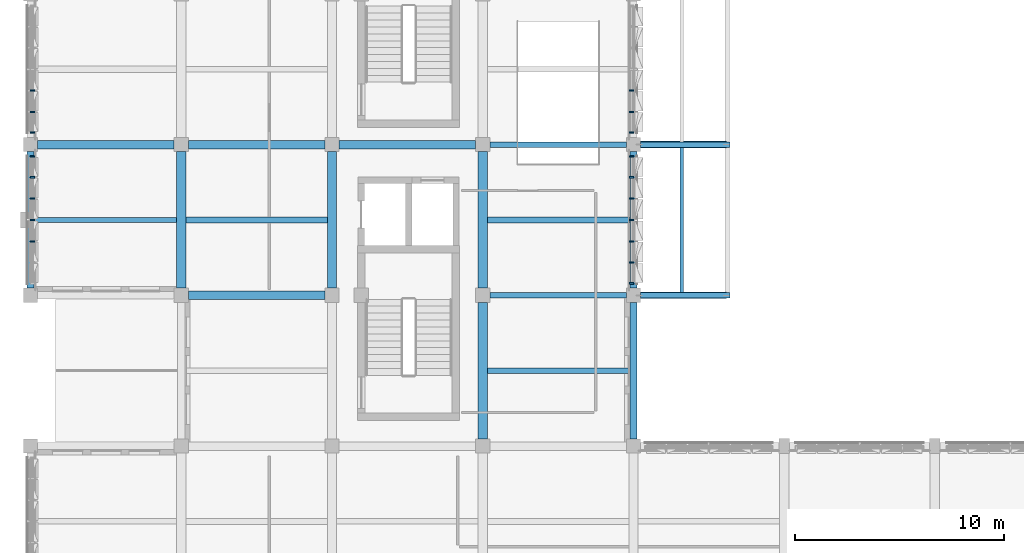
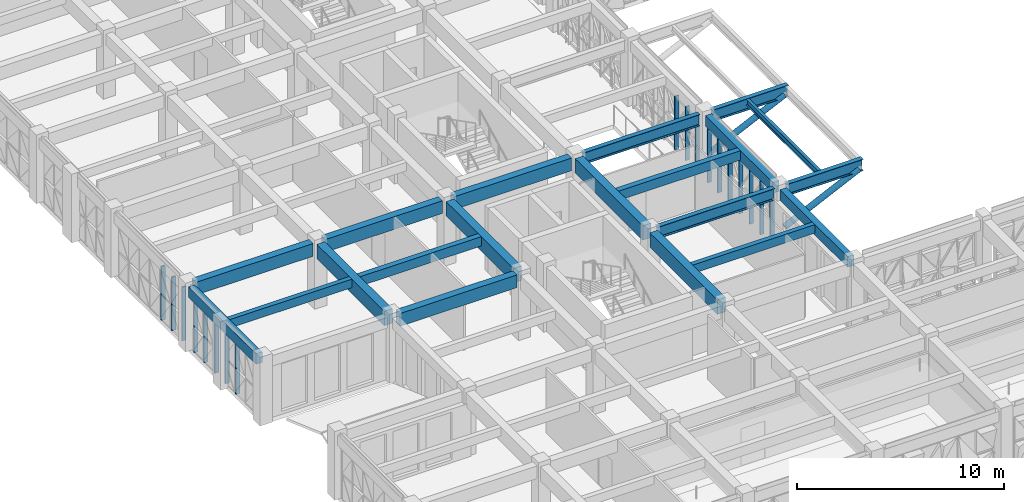
# One storey, part 4 of 88: 20 beams, 20 members, 4 elements without a shape of their own.
"""IFC4 building model written with IfcOpenShell, lengths in metres."""

import ifcopenshell
import ifcopenshell.guid

model = None  # the IFC model being written
_history = None  # IfcOwnerHistory: only IFC2X3 demands one
_inside = {}  # id of a spatial element -> (the spatial element, [elements in it])
_under = {}  # id of a project, library or spatial element -> (it, [spatial elements below it])
_declared = {}  # id of a project -> (the project, [libraries it declares])
_typed = {}  # id of a type object -> (the type object, [elements of that type])
_made_of = {}  # id of a material, layer set ... -> (it, [elements and type objects made of it])


def new_model(schema):
    """Start an empty IFC model of exactly this schema.

    Asked for "IFC4X3", IfcOpenShell would pick the latest addendum, in which some entities
    have other attributes; the version numbers below select the first issue.
    IFC2X3 requires an IfcOwnerHistory on every rooted entity: one is made here for all.
    """
    global model, _history
    if schema == "IFC4X3":
        model = ifcopenshell.file(schema_version=(4, 3, 0, 0))
    else:
        model = ifcopenshell.file(schema=schema)
    _inside.clear()
    _under.clear()
    _declared.clear()
    _typed.clear()
    _made_of.clear()
    _history = None
    if model.schema == "IFC2X3":
        org = make("IfcOrganization", Name="unknown")
        user = make(
            "IfcPersonAndOrganization",
            ThePerson=make("IfcPerson", FamilyName="unknown"),
            TheOrganization=org,
        )
        app = make(
            "IfcApplication",
            ApplicationDeveloper=org,
            Version="unknown",
            ApplicationFullName="unknown",
            ApplicationIdentifier="unknown",
        )
        _history = make(
            "IfcOwnerHistory",
            OwningUser=user,
            OwningApplication=app,
            ChangeAction="ADDED",
            CreationDate=0,
        )
    return model


def make(cls, **values):
    """One entity of the class cls with the attributes given. An attribute that is None is left unset."""
    return model.create_entity(
        cls, **{name: value for name, value in values.items() if value is not None}
    )


def rooted(cls, **values):
    """An entity with a GlobalId (a new one), such as an element, a storey or a relation."""
    return make(cls, GlobalId=ifcopenshell.guid.new(), OwnerHistory=_history, **values)


def si_unit(unit_type, name, prefix=None):
    """IfcSIUnit, for example si_unit("LENGTHUNIT", "METRE", prefix="MILLI")."""
    return make("IfcSIUnit", UnitType=unit_type, Prefix=prefix, Name=name)


def assignment(units):
    """IfcUnitAssignment: the units of a project."""
    return None if units is None else make("IfcUnitAssignment", Units=units)


def point(xyz):
    """IfcCartesianPoint."""
    return None if xyz is None else make("IfcCartesianPoint", Coordinates=xyz)


def direction(xyz):
    """IfcDirection."""
    return None if xyz is None else make("IfcDirection", DirectionRatios=xyz)


def frame(location, z_axis=None, x_axis=None):
    """IfcAxis2Placement3D, a coordinate frame: its origin and axes. An axis left out is left unset."""
    return make(
        "IfcAxis2Placement3D",
        Location=point(location),
        Axis=direction(z_axis),
        RefDirection=direction(x_axis),
    )


def frame_2d(location, x_axis=None):
    """IfcAxis2Placement2D, a coordinate frame in the plane: its origin and x axis."""
    return make(
        "IfcAxis2Placement2D", Location=point(location), RefDirection=direction(x_axis)
    )


def origin():
    """The frame at (0, 0, 0) with its axes left unset."""
    return frame((0.0, 0.0, 0.0))


def origin_2d():
    """The frame at (0, 0) in the plane with its x axis left unset."""
    return frame_2d((0.0, 0.0))


def place(relative_to, where):
    """IfcLocalPlacement: puts the frame where relative to a parent placement (None: the world)."""
    return make(
        "IfcLocalPlacement", PlacementRelTo=relative_to, RelativePlacement=where
    )


def context(
    kind, dimensions, precision=None, world=None, true_north=None, identifier=None
):
    """IfcGeometricRepresentationContext, for example the 3D "Model" context."""
    return make(
        "IfcGeometricRepresentationContext",
        ContextIdentifier=identifier,
        ContextType=kind,
        CoordinateSpaceDimension=dimensions,
        Precision=precision,
        WorldCoordinateSystem=world,
        TrueNorth=true_north,
    )


def subcontext(parent, identifier, kind, view, scale=None):
    """IfcGeometricRepresentationSubContext, for example "Body" below "Model"."""
    return make(
        "IfcGeometricRepresentationSubContext",
        ContextIdentifier=identifier,
        ContextType=kind,
        ParentContext=parent,
        TargetScale=scale,
        TargetView=view,
    )


def project(units=None, contexts=None):
    """IfcProject with its units and contexts."""
    return rooted(
        "IfcProject",
        Name="project",
        RepresentationContexts=contexts,
        UnitsInContext=assignment(units),
    )


def spatial(cls, under=None, at=None, **own):
    """A site, building, storey or space (cls), placed at a placement, below another one or the project."""
    s = rooted(cls, ObjectPlacement=at, **own)
    if under is not None:
        _under.setdefault(under.id(), (under, []))[1].append(s)
    return s


def profile(cls, at=None, kind="AREA", **sizes):
    """A parametric profile (cls). Its sizes go by their IFC names, for example OverallWidth=200.0."""
    return make(cls, ProfileType=kind, Position=at, **sizes)


def rectangle(**sizes):
    """IfcRectangleProfileDef."""
    return profile("IfcRectangleProfileDef", **sizes)


def hollow_circle(**sizes):
    """IfcCircleHollowProfileDef."""
    return profile("IfcCircleHollowProfileDef", **sizes)


def i_section(**sizes):
    """IfcIShapeProfileDef."""
    return profile("IfcIShapeProfileDef", **sizes)


def extrude(swept, where, along, depth):
    """IfcExtrudedAreaSolid: the profile swept, set in the frame where, extruded along a direction by depth."""
    return make(
        "IfcExtrudedAreaSolid",
        SweptArea=swept,
        Position=where,
        ExtrudedDirection=direction(along),
        Depth=depth,
    )


def shape(context_of_items, identifier, shape_type, items):
    """IfcShapeRepresentation: the items that make up one representation, for example the "Body"."""
    return make(
        "IfcShapeRepresentation",
        ContextOfItems=context_of_items,
        RepresentationIdentifier=identifier,
        RepresentationType=shape_type,
        Items=items,
    )


def material(Name=None, Category=None):
    """IfcMaterial."""
    return make("IfcMaterial", Name=Name, Category=Category)


def material_profile(
    of_material, cross_section, Name=None, Category=None, Priority=None
):
    """IfcMaterialProfile: a cross section and its material."""
    return make(
        "IfcMaterialProfile",
        Name=Name,
        Material=of_material,
        Profile=cross_section,
        Priority=Priority,
        Category=Category,
    )


def profile_set(profiles, Name=None, composite=None):
    """IfcMaterialProfileSet."""
    return make(
        "IfcMaterialProfileSet",
        Name=Name,
        MaterialProfiles=profiles,
        CompositeProfile=composite,
    )


def made_of(thing, what):
    """Note that an element or type object is made of a material, layer set ...; save() writes the relation."""
    if what is not None:
        _made_of.setdefault(what.id(), (what, []))[1].append(thing)
    return thing


def type_object(cls, material=None, **own):
    """A type object (cls), such as IfcWallType, which elements share."""
    return made_of(rooted(cls, **own), material)


def element(
    cls,
    number,
    at=None,
    inside=None,
    cuts=None,
    type_object=None,
    material=None,
    context=None,
    identifier="Body",
    shape_type=None,
    held_by="IfcProductDefinitionShape",
    body=None,
    shapes=None,
    **own,
):
    """One element of the class cls, such as IfcWall. Its Tag is "e" and its number.

    at: its placement. inside: the storey or other place that contains it. cuts: it is an
    opening in that element (IfcRelVoidsElement). A single representation is given by context,
    identifier, shape_type and body (its items); several are given by shapes. held_by: the class
    of the entity that holds the representations. save() writes the other relations.
    """
    e = rooted(cls, Tag="e%d" % number, ObjectPlacement=at, **own)
    if body is not None:
        shapes = [shape(context, identifier, shape_type, body)]
    if shapes is not None:
        e.Representation = make(held_by, Representations=shapes)
    if inside is not None:
        _inside.setdefault(inside.id(), (inside, []))[1].append(e)
    if cuts is not None:
        rooted(
            "IfcRelVoidsElement", RelatingBuildingElement=cuts, RelatedOpeningElement=e
        )
    if type_object is not None:
        _typed.setdefault(type_object.id(), (type_object, []))[1].append(e)
    return made_of(e, material)


def aggregate(whole, parts):
    """IfcRelAggregates: a whole, such as a stair, and the parts it consists of."""
    return rooted("IfcRelAggregates", RelatingObject=whole, RelatedObjects=parts)


def save(model, path):
    """Write the relations noted so far, then the file.

    IfcRelAggregates (storeys below a building ...), IfcRelContainedInSpatialStructure (elements
    in a storey), IfcRelDefinesByType, IfcRelAssociatesMaterial and IfcRelDeclares: one each for
    every whole, place, type object, material and project.
    """
    for whole, parts in _under.values():
        aggregate(whole, parts)
    for where, things in _inside.values():
        rooted(
            "IfcRelContainedInSpatialStructure",
            RelatedElements=things,
            RelatingStructure=where,
        )
    for kind, things in _typed.values():
        rooted("IfcRelDefinesByType", RelatedObjects=things, RelatingType=kind)
    for what, things in _made_of.values():
        rooted("IfcRelAssociatesMaterial", RelatedObjects=things, RelatingMaterial=what)
    for by, libraries in _declared.values():
        rooted("IfcRelDeclares", RelatingContext=by, RelatedDefinitions=libraries)
    model.write(path)


model = new_model("IFC4")

# Units and contexts
model_context = context("Model", 3, precision=1e-05, world=origin(), true_north=direction((0.0, 1.0)))
body_context = subcontext(model_context, "Body", "Model", "MODEL_VIEW")
ifc_project = project(units=[si_unit("LENGTHUNIT", "METRE"), si_unit("AREAUNIT", "SQUARE_METRE"), si_unit("VOLUMEUNIT", "CUBIC_METRE"), si_unit("PLANEANGLEUNIT", "RADIAN"), si_unit("MASSUNIT", "GRAM", prefix="KILO")], contexts=[model_context])

# Site, building, storey
site_placement = place(None, origin())
site = spatial("IfcSite", under=ifc_project, at=site_placement, CompositionType="ELEMENT")
building_placement = place(site_placement, origin())
building = spatial("IfcBuilding", under=site, at=building_placement, Name="Alvorim Cloister Faculty of Sciences", CompositionType="ELEMENT")
storey_placement = place(building_placement, frame((0.0, 0.0, 4.5)))
storey = spatial("IfcBuildingStorey", under=building, at=storey_placement, Name="L01", CompositionType="ELEMENT", Elevation=4.5)

# Beams
ifc_material_1 = material(Name="Concrete C40", Category="concrete")
ifc_material_profile_1 = material_profile(ifc_material_1, rectangle(XDim=0.260009765625, YDim=0.5, at=origin_2d()), Name="RC40-JST-260x500")
ifc_profile_set_1 = profile_set([ifc_material_profile_1], Name="Concrete C40")
beam_type_1 = type_object("IfcBeamType", Name="BM-JST-RC-260x500", PredefinedType="JOIST", material=ifc_profile_set_1)
for number, where, z_axis, x_axis, name in (
    (1, (0.175048828125, 25.199951171875, 3.5400390625), (1.0, 0.0, 0.0), (0.0, 1.0, 0.0), "L01 Secondary Floor Joist BM-1145"),
    (2, (21.824951171875, 18.0, 3.5400390625), (1.0, 0.0, 0.0), (0.0, 1.0, 0.0), "L01 Secondary Floor Joist BM-1184"),
):
    element("IfcBeam", number, at=place(storey_placement, frame(where, z_axis=z_axis, x_axis=x_axis)), inside=storey, type_object=beam_type_1, Name=name, PredefinedType="JOIST", context=body_context, shape_type="SweptSolid", body=[
        extrude(rectangle(XDim=0.260009765625, YDim=0.5, at=origin_2d()), origin(), (0.0, 0.0, 1.0), 6.800048828125),
    ])
ifc_material_profile_2 = material_profile(ifc_material_1, rectangle(XDim=0.300048828125, YDim=0.550048828125, at=origin_2d()), Name="RC40-JST-300x550")
ifc_profile_set_2 = profile_set([ifc_material_profile_2], Name="Concrete C40")
beam_type_2 = type_object("IfcBeamType", Name="BM-JST-RC-300x550", PredefinedType="JOIST", material=ifc_profile_set_2)
beam_1_placement = place(storey_placement, frame((7.425048828125, 25.199951171875, 3.514892578125), z_axis=(1.0, 0.0, 0.0), x_axis=(0.0, 1.0, 0.0)))
element("IfcBeam", 3, at=beam_1_placement, inside=storey, type_object=beam_type_2, Name="L01 Secondary Floor Joist BM-1161", PredefinedType="JOIST", context=body_context, shape_type="SweptSolid", body=[
    extrude(rectangle(XDim=0.300048828125, YDim=0.550048828125, at=origin_2d()), origin(), (0.0, 0.0, 1.0), 6.75),
])
beam_2_placement = place(storey_placement, frame((21.824951171875, 25.199951171875, 3.514892578125), z_axis=(1.0, 0.0, 0.0), x_axis=(0.0, 1.0, 0.0)))
element("IfcBeam", 4, at=beam_2_placement, inside=storey, type_object=beam_type_2, Name="L01 Secondary Floor Joist BM-1185", PredefinedType="JOIST", context=body_context, shape_type="SweptSolid", body=[
    extrude(rectangle(XDim=0.300048828125, YDim=0.550048828125, at=origin_2d()), origin(), (0.0, 0.0, 1.0), 6.800048828125),
])
ifc_material_profile_3 = material_profile(ifc_material_1, rectangle(XDim=0.39990234375, YDim=0.75, at=origin_2d()), Name="RC40-BM-400x750")
ifc_profile_set_3 = profile_set([ifc_material_profile_3], Name="Concrete C40")
beam_type_3 = type_object("IfcBeamType", Name="BM-RC-400x750", PredefinedType="BEAM", material=ifc_profile_set_3)
for number, where, z_axis, x_axis, name in (
    (5, (7.5400390625, 21.60009765625, 3.4150390625), (1.0, 0.0, 0.0), (0.0, 1.0, 0.0), "L01 Primary Beam BM-0936"),
    (6, (0.340087890625, 28.800048828125, 3.4150390625), (1.0, 0.0, 0.0), (0.0, 1.0, 0.0), "L01 Primary Beam BM-0946"),
    (7, (7.5400390625, 28.800048828125, 3.4150390625), (1.0, 0.0, 0.0), (0.0, 1.0, 0.0), "L01 Primary Beam BM-0947"),
    (8, (14.739990234375, 28.800048828125, 3.4150390625), (1.0, 0.0, 0.0), (0.0, 1.0, 0.0), "L01 Primary Beam BM-0948"),
):
    element("IfcBeam", number, at=place(storey_placement, frame(where, z_axis=z_axis, x_axis=x_axis)), inside=storey, type_object=beam_type_3, Name=name, PredefinedType="BEAM", context=body_context, shape_type="SweptSolid", body=[
        extrude(rectangle(XDim=0.39990234375, YDim=0.75, at=origin_2d()), origin(), (0.0, 0.0, 1.0), 6.52001953125),
    ])
ifc_material_profile_4 = material_profile(ifc_material_1, rectangle(XDim=0.449951171875, YDim=0.85009765625, at=origin_2d()), Name="RC40-BM-450x850")
ifc_profile_set_4 = profile_set([ifc_material_profile_4], Name="Concrete C40")
beam_type_4 = type_object("IfcBeamType", Name="BM-RC-450x850", PredefinedType="BEAM", material=ifc_profile_set_4)
for number, where, z_axis, x_axis, name in (
    (9, (7.199951171875, 21.93994140625, 3.364990234375), (0.0, 1.0, 0.0), (-1.0, 0.0, 0.0), "L01 Primary Girder BM-1035"),
    (10, (14.39990234375, 21.93994140625, 3.364990234375), (0.0, 1.0, 0.0), (-1.0, 0.0, 0.0), "L01 Primary Girder BM-1051"),
    (11, (21.60009765625, 14.739990234375, 3.364990234375), (0.0, 1.0, 0.0), (-1.0, 0.0, 0.0), "L01 Primary Girder BM-1066"),
    (12, (21.60009765625, 21.93994140625, 3.364990234375), (0.0, 1.0, 0.0), (-1.0, 0.0, 0.0), "L01 Primary Girder BM-1067"),
):
    element("IfcBeam", number, at=place(storey_placement, frame(where, z_axis=z_axis, x_axis=x_axis)), inside=storey, type_object=beam_type_4, Name=name, PredefinedType="BEAM", context=body_context, shape_type="SweptSolid", body=[
        extrude(rectangle(XDim=0.449951171875, YDim=0.85009765625, at=origin_2d()), origin(), (0.0, 0.0, 1.0), 6.52001953125),
    ])
ifc_material_profile_5 = material_profile(ifc_material_1, rectangle(XDim=0.35009765625, YDim=0.6201171875, at=origin_2d()), Name="RC40-SPD-350x620")
ifc_profile_set_5 = profile_set([ifc_material_profile_5], Name="Concrete C40")
beam_type_5 = type_object("IfcBeamType", Name="BM-SPD-RC-350x620", PredefinedType="SPANDREL", material=ifc_profile_set_5)
for number, where, z_axis, x_axis, name in (
    (13, (0.0, 21.93994140625, 3.47998046875), (0.0, 1.0, 0.0), (-1.0, 0.0, 0.0), "L01 Primary Girder BM-1019"),
    (14, (28.800048828125, 14.739990234375, 3.47998046875), (0.0, 1.0, 0.0), (-1.0, 0.0, 0.0), "L01 Primary Girder BM-1082"),
    (15, (28.800048828125, 21.93994140625, 3.47998046875), (0.0, 1.0, 0.0), (-1.0, 0.0, 0.0), "L01 Primary Girder BM-1083"),
):
    element("IfcBeam", number, at=place(storey_placement, frame(where, z_axis=z_axis, x_axis=x_axis)), inside=storey, type_object=beam_type_5, Name=name, PredefinedType="SPANDREL", context=body_context, shape_type="SweptSolid", body=[
        extrude(rectangle(XDim=0.35009765625, YDim=0.6201171875, at=origin_2d()), origin(), (0.0, 0.0, 1.0), 6.52001953125),
    ])
ifc_material_2 = material(Name="Steel ASTM A572 Grade 50", Category="steel")
ifc_material_profile_6 = material_profile(ifc_material_2, i_section(OverallWidth=0.1708984375, OverallDepth=0.35498046875, WebThickness=0.007080078125, FlangeThickness=0.01171875, FilletRadius=0.012939453125, at=origin_2d()), Name="W360x51.0")
ifc_profile_set_6 = profile_set([ifc_material_profile_6], Name="Steel ASTM A572 Grade 50")
beam_type_6 = type_object("IfcBeamType", Name="BM-STL-W360", PredefinedType="JOIST", material=ifc_profile_set_6)
beam_3_placement = place(storey_placement, frame((31.10009765625, 21.7099609375, 3.612548828125), z_axis=(0.0, 1.0, 0.0), x_axis=(-1.0, 0.0, 0.0)))
element("IfcBeam", 16, at=beam_3_placement, inside=storey, type_object=beam_type_6, Name="L01 Cantilever Deck Joist BM-0008", PredefinedType="JOIST", context=body_context, shape_type="SweptSolid", body=[
    extrude(i_section(OverallWidth=0.1708984375, OverallDepth=0.35498046875, WebThickness=0.007080078125, FlangeThickness=0.01171875, FilletRadius=0.012939453125, at=origin_2d()), origin(), (0.0, 0.0, 1.0), 6.97998046875),
])
ifc_material_profile_7 = material_profile(ifc_material_2, i_section(OverallWidth=0.25390625, OverallDepth=0.68408203125, WebThickness=0.012451171875, FlangeThickness=0.01904296875, FilletRadius=0.01904296875, at=origin_2d()), Name="W690x140.0")
ifc_profile_set_7 = profile_set([ifc_material_profile_7], Name="Steel ASTM A572 Grade 50")
beam_type_7 = type_object("IfcBeamType", Name="BM-STL-W690", PredefinedType="BEAM", material=ifc_profile_set_7)
beam_4_placement = place(storey_placement, frame((21.93994140625, 21.60009765625, 3.447998046875), z_axis=(1.0, 0.0, 0.0), x_axis=(0.0, 1.0, 0.0)))
element("IfcBeam", 17, at=beam_4_placement, inside=storey, type_object=beam_type_7, Name="L01 Cantilever Backspan Girder BM-0001", PredefinedType="BEAM", context=body_context, shape_type="SweptSolid", body=[
    extrude(i_section(OverallWidth=0.25390625, OverallDepth=0.68408203125, WebThickness=0.012451171875, FlangeThickness=0.01904296875, FilletRadius=0.01904296875, at=origin_2d()), origin(), (0.0, 0.0, 1.0), 6.52001953125),
])
beam_5_placement = place(storey_placement, frame((29.139892578125, 21.60009765625, 3.447998046875), z_axis=(1.0, 0.0, 0.0), x_axis=(0.0, 1.0, 0.0)))
element("IfcBeam", 18, at=beam_5_placement, inside=storey, type_object=beam_type_7, Name="L01 Cantilever Overhang Girder BM-0002", PredefinedType="BEAM", context=body_context, shape_type="SweptSolid", body=[
    extrude(i_section(OverallWidth=0.25390625, OverallDepth=0.68408203125, WebThickness=0.012451171875, FlangeThickness=0.01904296875, FilletRadius=0.01904296875, at=origin_2d()), origin(), (0.0, 0.0, 1.0), 4.260009765625),
])
beam_6_placement = place(storey_placement, frame((21.93994140625, 28.800048828125, 3.447998046875), z_axis=(1.0, 0.0, 0.0), x_axis=(0.0, 1.0, 0.0)))
element("IfcBeam", 19, at=beam_6_placement, inside=storey, type_object=beam_type_7, Name="L01 Cantilever Backspan Girder BM-0003", PredefinedType="BEAM", context=body_context, shape_type="SweptSolid", body=[
    extrude(i_section(OverallWidth=0.25390625, OverallDepth=0.68408203125, WebThickness=0.012451171875, FlangeThickness=0.01904296875, FilletRadius=0.01904296875, at=origin_2d()), origin(), (0.0, 0.0, 1.0), 6.52001953125),
])
beam_7_placement = place(storey_placement, frame((29.139892578125, 28.800048828125, 3.447998046875), z_axis=(1.0, 0.0, 0.0), x_axis=(0.0, 1.0, 0.0)))
element("IfcBeam", 20, at=beam_7_placement, inside=storey, type_object=beam_type_7, Name="L01 Cantilever Overhang Girder BM-0004", PredefinedType="BEAM", context=body_context, shape_type="SweptSolid", body=[
    extrude(i_section(OverallWidth=0.25390625, OverallDepth=0.68408203125, WebThickness=0.012451171875, FlangeThickness=0.01904296875, FilletRadius=0.01904296875, at=origin_2d()), origin(), (0.0, 0.0, 1.0), 4.260009765625),
])

# Curtain wall, members
ifc_material_3 = material(Name="Aluminium and Low-E Glass Curtain Wall", Category="aluminium")
curtain_wall_type = type_object("IfcCurtainWallType", Name="CW-TRI-6120x3170", PredefinedType="USERDEFINED", material=ifc_material_3)
curtain_wall_1_placement = place(storey_placement, origin())
curtain_wall_1 = element("IfcCurtainWall", 21, at=curtain_wall_1_placement, inside=storey, type_object=curtain_wall_type, Name="L01 Diagonal Cassette Curtain Wall CW-0007", ObjectType="UNITISED CURTAIN WALL", PredefinedType="USERDEFINED")
ifc_material_4 = material(Name="Aluminium Alloy 6063-T6", Category="aluminium")
ifc_material_profile_8 = material_profile(ifc_material_4, rectangle(XDim=0.074951171875, YDim=0.219970703125, at=origin_2d()), Name="ALU-MUL-75x220")
ifc_profile_set_8 = profile_set([ifc_material_profile_8], Name="Aluminium Alloy 6063-T6")
member_type_1 = type_object("IfcMemberType", Name="CW-MUL-75x220", PredefinedType="MULLION", material=ifc_profile_set_8)
member_1_placement = place(storey_placement, frame((0.090087890625, 24.179931640625, 0.0), z_axis=(0.0, 0.0, 1.0), x_axis=(0.0, 1.0, 0.0)))
member_1 = element("IfcMember", 22, at=member_1_placement, type_object=member_type_1, Name="CW-0007 Mullion 3", PredefinedType="MULLION", context=body_context, shape_type="SweptSolid", body=[
    extrude(rectangle(XDim=0.074951171875, YDim=0.219970703125, at=origin_2d()), origin(), (0.0, 0.0, 1.0), 3.169921875),
])
member_2_placement = place(storey_placement, frame((0.090087890625, 25.199951171875, 0.0), z_axis=(0.0, 0.0, 1.0), x_axis=(0.0, 1.0, 0.0)))
member_2 = element("IfcMember", 23, at=member_2_placement, type_object=member_type_1, Name="CW-0007 Mullion 4", PredefinedType="MULLION", context=body_context, shape_type="SweptSolid", body=[
    extrude(rectangle(XDim=0.074951171875, YDim=0.219970703125, at=origin_2d()), origin(), (0.0, 0.0, 1.0), 3.169921875),
])
member_3_placement = place(storey_placement, frame((0.090087890625, 26.219970703125, 0.0), z_axis=(0.0, 0.0, 1.0), x_axis=(0.0, 1.0, 0.0)))
member_3 = element("IfcMember", 24, at=member_3_placement, type_object=member_type_1, Name="CW-0007 Mullion 5", PredefinedType="MULLION", context=body_context, shape_type="SweptSolid", body=[
    extrude(rectangle(XDim=0.074951171875, YDim=0.219970703125, at=origin_2d()), origin(), (0.0, 0.0, 1.0), 3.169921875),
])
member_4_placement = place(storey_placement, frame((0.090087890625, 27.239990234375, 0.0), z_axis=(0.0, 0.0, 1.0), x_axis=(0.0, 1.0, 0.0)))
member_4 = element("IfcMember", 25, at=member_4_placement, type_object=member_type_1, Name="CW-0007 Mullion 6", PredefinedType="MULLION", context=body_context, shape_type="SweptSolid", body=[
    extrude(rectangle(XDim=0.074951171875, YDim=0.219970703125, at=origin_2d()), origin(), (0.0, 0.0, 1.0), 3.169921875),
])
member_5_placement = place(storey_placement, frame((0.090087890625, 28.222412109375, 0.0), z_axis=(0.0, 0.0, 1.0), x_axis=(0.0, 1.0, 0.0)))
member_5 = element("IfcMember", 26, at=member_5_placement, type_object=member_type_1, Name="CW-0007 Mullion 7", PredefinedType="MULLION", context=body_context, shape_type="SweptSolid", body=[
    extrude(rectangle(XDim=0.074951171875, YDim=0.219970703125, at=origin_2d()), origin(), (0.0, 0.0, 1.0), 3.169921875),
])
aggregate(curtain_wall_1, [member_1, member_2, member_3, member_4, member_5])

curtain_wall_2_placement = place(storey_placement, origin())
curtain_wall_2 = element("IfcCurtainWall", 27, at=curtain_wall_2_placement, inside=storey, type_object=curtain_wall_type, Name="L01 Diagonal Cassette Curtain Wall CW-0008", ObjectType="UNITISED CURTAIN WALL", PredefinedType="USERDEFINED")
member_6_placement = place(storey_placement, frame((0.090087890625, 29.37744140625, 0.0), z_axis=(0.0, 0.0, 1.0), x_axis=(0.0, 1.0, 0.0)))
member_6 = element("IfcMember", 28, at=member_6_placement, type_object=member_type_1, Name="CW-0008 Mullion 1", PredefinedType="MULLION", context=body_context, shape_type="SweptSolid", body=[
    extrude(rectangle(XDim=0.074951171875, YDim=0.219970703125, at=origin_2d()), origin(), (0.0, 0.0, 1.0), 3.169921875),
])
member_7_placement = place(storey_placement, frame((0.090087890625, 30.360107421875, 0.0), z_axis=(0.0, 0.0, 1.0), x_axis=(0.0, 1.0, 0.0)))
member_7 = element("IfcMember", 29, at=member_7_placement, type_object=member_type_1, Name="CW-0008 Mullion 2", PredefinedType="MULLION", context=body_context, shape_type="SweptSolid", body=[
    extrude(rectangle(XDim=0.074951171875, YDim=0.219970703125, at=origin_2d()), origin(), (0.0, 0.0, 1.0), 3.169921875),
])
member_8_placement = place(storey_placement, frame((0.090087890625, 31.3798828125, 0.0), z_axis=(0.0, 0.0, 1.0), x_axis=(0.0, 1.0, 0.0)))
member_8 = element("IfcMember", 30, at=member_8_placement, type_object=member_type_1, Name="CW-0008 Mullion 3", PredefinedType="MULLION", context=body_context, shape_type="SweptSolid", body=[
    extrude(rectangle(XDim=0.074951171875, YDim=0.219970703125, at=origin_2d()), origin(), (0.0, 0.0, 1.0), 3.169921875),
])
aggregate(curtain_wall_2, [member_6, member_7, member_8])

curtain_wall_3_placement = place(storey_placement, origin())
curtain_wall_3 = element("IfcCurtainWall", 31, at=curtain_wall_3_placement, inside=storey, type_object=curtain_wall_type, Name="L01 Diagonal Cassette Curtain Wall CW-0025", ObjectType="UNITISED CURTAIN WALL", PredefinedType="USERDEFINED")
member_9_placement = place(storey_placement, frame((28.7099609375, 29.37744140625, 0.0), z_axis=(0.0, 0.0, 1.0), x_axis=(0.0, 1.0, 0.0)))
member_9 = element("IfcMember", 32, at=member_9_placement, type_object=member_type_1, Name="CW-0025 Mullion 1", PredefinedType="MULLION", context=body_context, shape_type="SweptSolid", body=[
    extrude(rectangle(XDim=0.074951171875, YDim=0.219970703125, at=origin_2d()), origin(), (0.0, 0.0, 1.0), 3.169921875),
])
member_10_placement = place(storey_placement, frame((28.7099609375, 30.360107421875, 0.0), z_axis=(0.0, 0.0, 1.0), x_axis=(0.0, 1.0, 0.0)))
member_10 = element("IfcMember", 33, at=member_10_placement, type_object=member_type_1, Name="CW-0025 Mullion 2", PredefinedType="MULLION", context=body_context, shape_type="SweptSolid", body=[
    extrude(rectangle(XDim=0.074951171875, YDim=0.219970703125, at=origin_2d()), origin(), (0.0, 0.0, 1.0), 3.169921875),
])
member_11_placement = place(storey_placement, frame((28.7099609375, 31.3798828125, 0.0), z_axis=(0.0, 0.0, 1.0), x_axis=(0.0, 1.0, 0.0)))
member_11 = element("IfcMember", 34, at=member_11_placement, type_object=member_type_1, Name="CW-0025 Mullion 3", PredefinedType="MULLION", context=body_context, shape_type="SweptSolid", body=[
    extrude(rectangle(XDim=0.074951171875, YDim=0.219970703125, at=origin_2d()), origin(), (0.0, 0.0, 1.0), 3.169921875),
])
aggregate(curtain_wall_3, [member_9, member_10, member_11])

curtain_wall_4_placement = place(storey_placement, origin())
curtain_wall_4 = element("IfcCurtainWall", 35, at=curtain_wall_4_placement, inside=storey, type_object=curtain_wall_type, Name="L01 Diagonal Cassette Curtain Wall CW-0026", ObjectType="UNITISED CURTAIN WALL", PredefinedType="USERDEFINED")
member_12_placement = place(storey_placement, frame((28.7099609375, 22.177490234375, 0.0), z_axis=(0.0, 0.0, 1.0), x_axis=(0.0, 1.0, 0.0)))
member_12 = element("IfcMember", 36, at=member_12_placement, type_object=member_type_1, Name="CW-0026 Mullion 1", PredefinedType="MULLION", context=body_context, shape_type="SweptSolid", body=[
    extrude(rectangle(XDim=0.074951171875, YDim=0.219970703125, at=origin_2d()), origin(), (0.0, 0.0, 1.0), 3.169921875),
])
member_13_placement = place(storey_placement, frame((28.7099609375, 23.159912109375, 0.0), z_axis=(0.0, 0.0, 1.0), x_axis=(0.0, 1.0, 0.0)))
member_13 = element("IfcMember", 37, at=member_13_placement, type_object=member_type_1, Name="CW-0026 Mullion 2", PredefinedType="MULLION", context=body_context, shape_type="SweptSolid", body=[
    extrude(rectangle(XDim=0.074951171875, YDim=0.219970703125, at=origin_2d()), origin(), (0.0, 0.0, 1.0), 3.169921875),
])
member_14_placement = place(storey_placement, frame((28.7099609375, 24.179931640625, 0.0), z_axis=(0.0, 0.0, 1.0), x_axis=(0.0, 1.0, 0.0)))
member_14 = element("IfcMember", 38, at=member_14_placement, type_object=member_type_1, Name="CW-0026 Mullion 3", PredefinedType="MULLION", context=body_context, shape_type="SweptSolid", body=[
    extrude(rectangle(XDim=0.074951171875, YDim=0.219970703125, at=origin_2d()), origin(), (0.0, 0.0, 1.0), 3.169921875),
])
member_15_placement = place(storey_placement, frame((28.7099609375, 25.199951171875, 0.0), z_axis=(0.0, 0.0, 1.0), x_axis=(0.0, 1.0, 0.0)))
member_15 = element("IfcMember", 39, at=member_15_placement, type_object=member_type_1, Name="CW-0026 Mullion 4", PredefinedType="MULLION", context=body_context, shape_type="SweptSolid", body=[
    extrude(rectangle(XDim=0.074951171875, YDim=0.219970703125, at=origin_2d()), origin(), (0.0, 0.0, 1.0), 3.169921875),
])
member_16_placement = place(storey_placement, frame((28.7099609375, 26.219970703125, 0.0), z_axis=(0.0, 0.0, 1.0), x_axis=(0.0, 1.0, 0.0)))
member_16 = element("IfcMember", 40, at=member_16_placement, type_object=member_type_1, Name="CW-0026 Mullion 5", PredefinedType="MULLION", context=body_context, shape_type="SweptSolid", body=[
    extrude(rectangle(XDim=0.074951171875, YDim=0.219970703125, at=origin_2d()), origin(), (0.0, 0.0, 1.0), 3.169921875),
])
member_17_placement = place(storey_placement, frame((28.7099609375, 27.239990234375, 0.0), z_axis=(0.0, 0.0, 1.0), x_axis=(0.0, 1.0, 0.0)))
member_17 = element("IfcMember", 41, at=member_17_placement, type_object=member_type_1, Name="CW-0026 Mullion 6", PredefinedType="MULLION", context=body_context, shape_type="SweptSolid", body=[
    extrude(rectangle(XDim=0.074951171875, YDim=0.219970703125, at=origin_2d()), origin(), (0.0, 0.0, 1.0), 3.169921875),
])
member_18_placement = place(storey_placement, frame((28.7099609375, 28.222412109375, 0.0), z_axis=(0.0, 0.0, 1.0), x_axis=(0.0, 1.0, 0.0)))
member_18 = element("IfcMember", 42, at=member_18_placement, type_object=member_type_1, Name="CW-0026 Mullion 7", PredefinedType="MULLION", context=body_context, shape_type="SweptSolid", body=[
    extrude(rectangle(XDim=0.074951171875, YDim=0.219970703125, at=origin_2d()), origin(), (0.0, 0.0, 1.0), 3.169921875),
])
aggregate(curtain_wall_4, [member_12, member_13, member_14, member_15, member_16, member_17, member_18])

# Members
ifc_material_profile_9 = material_profile(ifc_material_2, hollow_circle(Radius=0.161865234375, WallThickness=0.012451171875, at=origin_2d()), Name="CHS323.9x12.5")
ifc_profile_set_9 = profile_set([ifc_material_profile_9], Name="Steel ASTM A572 Grade 50")
member_type_2 = type_object("IfcMemberType", Name="MB-BRC-CHS323", PredefinedType="BRACE", material=ifc_profile_set_9)
for number, where, z_axis, x_axis, name in (
    (43, (29.080078125, 21.60009765625, 1.25), (0.903825730376, 0.0, 0.427900746798), (0.0, 1.0, 0.0), "L01 Cantilever Raker Strut MB-0001"),
    (44, (29.080078125, 28.800048828125, 1.25), (0.903825730376, 0.0, 0.427900746798), (0.0, 1.0, 0.0), "L01 Cantilever Raker Strut MB-0002"),
):
    element("IfcMember", number, at=place(storey_placement, frame(where, z_axis=z_axis, x_axis=x_axis)), inside=storey, type_object=member_type_2, Name=name, PredefinedType="BRACE", context=body_context, shape_type="SweptSolid", body=[
        extrude(hollow_circle(Radius=0.161865234375, WallThickness=0.012451171875, at=origin_2d()), origin(), (0.0, 0.0, 1.0), 4.580322265625),
    ])

save(model, "model.ifc")
